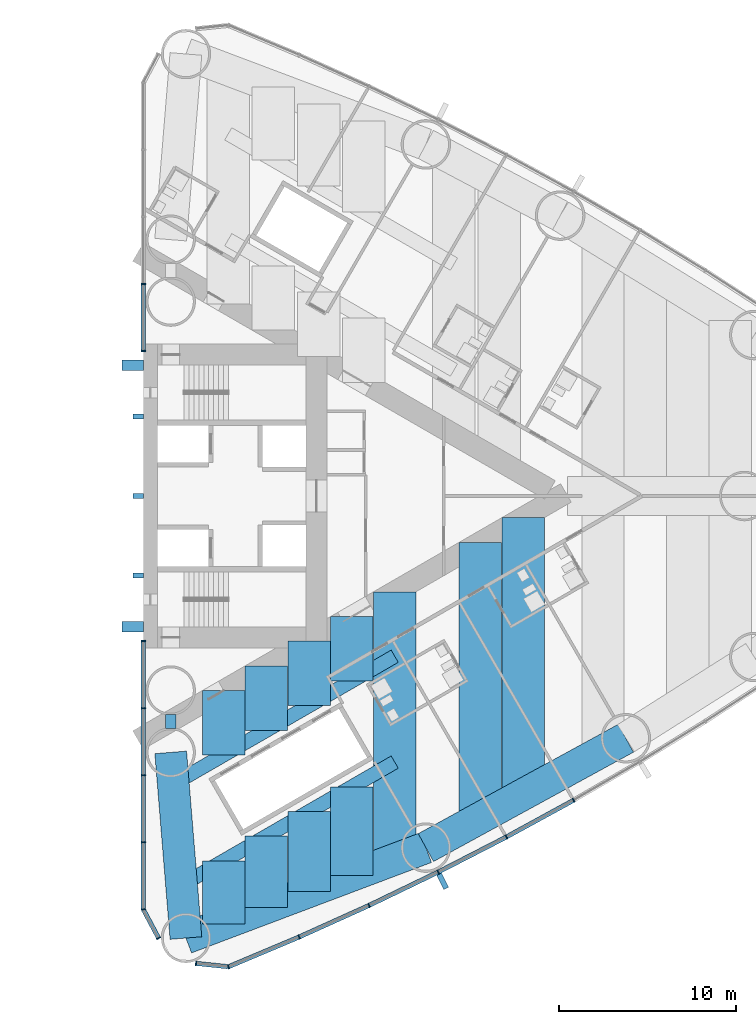
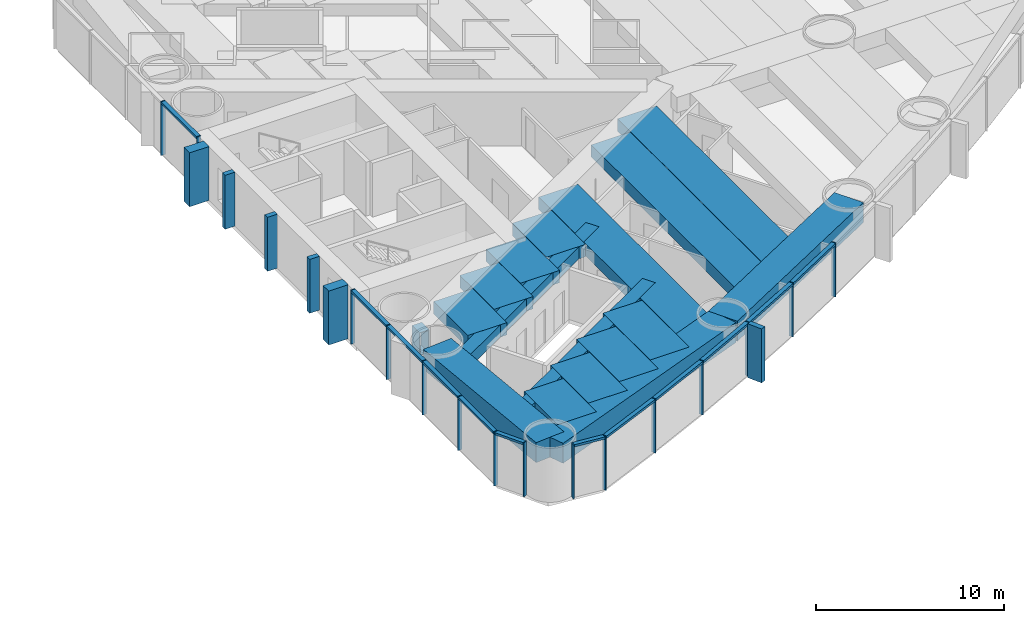
# One storey, part 6 of 19: 33 members, 17 beams, 3 elements without a shape of their own.
"""IFC4 building model written with IfcOpenShell, lengths in metres."""

from ifc_helpers import new_model, si_unit, direction, frame, origin, origin_2d, place, context, subcontext, project, spatial, rectangle, hollow_rectangle, extrude, material, material_profile, profile_set, type_object, element, aggregate, save


model = new_model("IFC4")

# Units and contexts
model_context = context("Model", 3, precision=1e-05, world=origin(), true_north=direction((0.0, 1.0)))
body_context = subcontext(model_context, "Body", "Model", "MODEL_VIEW")
ifc_project = project(units=[si_unit("LENGTHUNIT", "METRE"), si_unit("AREAUNIT", "SQUARE_METRE"), si_unit("VOLUMEUNIT", "CUBIC_METRE"), si_unit("PLANEANGLEUNIT", "RADIAN"), si_unit("MASSUNIT", "GRAM", prefix="KILO")], contexts=[model_context])

# Site, building, storey
site_placement = place(None, origin())
site = spatial("IfcSite", under=ifc_project, at=site_placement, CompositionType="ELEMENT")
building_placement = place(site_placement, origin())
building = spatial("IfcBuilding", under=site, at=building_placement, Name="Lancet Gate Hotel", CompositionType="ELEMENT")
storey_placement = place(building_placement, frame((0.0, 0.0, 32.0)))
storey = spatial("IfcBuildingStorey", under=building, at=storey_placement, Name="L07", CompositionType="ELEMENT", Elevation=32.0)

# Curtain wall, members
ifc_material_1 = material(Name="Aluminium curtain wall", Category="aluminium")
curtain_wall_type = type_object("IfcCurtainWallType", Name="Tower unitised curtain wall", PredefinedType="USERDEFINED", material=ifc_material_1)
curtain_wall_1_placement = place(storey_placement, origin())
curtain_wall_1 = element("IfcCurtainWall", 1, at=curtain_wall_1_placement, inside=storey, type_object=curtain_wall_type, Name="T2 L07 curtain wall 1", ObjectType="UNITISED CURTAIN WALL", PredefinedType="USERDEFINED")
ifc_material_2 = material(Name="Aluminium mullion", Category="aluminium")
ifc_material_profile_1 = material_profile(ifc_material_2, rectangle(XDim=0.06494140625, YDim=0.25, at=origin_2d()), Name="MULLION 65x250")
ifc_profile_set_1 = profile_set([ifc_material_profile_1], Name="Aluminium mullion")
member_type_1 = type_object("IfcMemberType", Name="Aluminium mullion 65x250", PredefinedType="MULLION", material=ifc_profile_set_1)
member_1_placement = place(storey_placement, frame((27.5, -8.199951171875, 0.0), z_axis=(0.0, 0.0, 1.0), x_axis=(0.0, -1.0, 0.0)))
member_1 = element("IfcMember", 2, at=member_1_placement, type_object=member_type_1, Name="T2 L07 curtain wall 1 mullion 1", PredefinedType="MULLION", context=body_context, shape_type="SweptSolid", body=[
    extrude(rectangle(XDim=0.06494140625, YDim=0.25, at=origin_2d()), origin(), (0.0, 0.0, 1.0), 3.5),
])
member_2_placement = place(storey_placement, frame((27.5, -11.99609375, 0.0), z_axis=(0.0, 0.0, 1.0), x_axis=(0.0, -1.0, 0.0)))
member_2 = element("IfcMember", 3, at=member_2_placement, type_object=member_type_1, Name="T2 L07 curtain wall 1 mullion 2", PredefinedType="MULLION", context=body_context, shape_type="SweptSolid", body=[
    extrude(rectangle(XDim=0.06494140625, YDim=0.25, at=origin_2d()), origin(), (0.0, 0.0, 1.0), 3.5),
])
member_3_placement = place(storey_placement, frame((27.5, -15.79248046875, 0.0), z_axis=(0.0, 0.0, 1.0), x_axis=(0.0, -1.0, 0.0)))
member_3 = element("IfcMember", 4, at=member_3_placement, type_object=member_type_1, Name="T2 L07 curtain wall 1 mullion 3", PredefinedType="MULLION", context=body_context, shape_type="SweptSolid", body=[
    extrude(rectangle(XDim=0.06494140625, YDim=0.25, at=origin_2d()), origin(), (0.0, 0.0, 1.0), 3.5),
])
member_4_placement = place(storey_placement, frame((27.5, -19.588623046875, 0.0), z_axis=(0.0, 0.0, 1.0), x_axis=(0.0, -1.0, 0.0)))
member_4 = element("IfcMember", 5, at=member_4_placement, type_object=member_type_1, Name="T2 L07 curtain wall 1 mullion 4", PredefinedType="MULLION", context=body_context, shape_type="SweptSolid", body=[
    extrude(rectangle(XDim=0.06494140625, YDim=0.25, at=origin_2d()), origin(), (0.0, 0.0, 1.0), 3.5),
])
member_5_placement = place(storey_placement, frame((27.5, -23.384765625, 0.0), z_axis=(0.0, 0.0, 1.0), x_axis=(0.157751691459, -0.987478811844, 0.0)))
member_5 = element("IfcMember", 6, at=member_5_placement, type_object=member_type_1, Name="T2 L07 curtain wall 1 mullion 5", PredefinedType="MULLION", context=body_context, shape_type="SweptSolid", body=[
    extrude(rectangle(XDim=0.06494140625, YDim=0.25, at=origin_2d()), origin(), (0.0, 0.0, 1.0), 3.5),
])
member_6_placement = place(storey_placement, frame((28.366455078125, -25.012451171875, 0.0), z_axis=(0.0, 0.0, 1.0), x_axis=(0.469897827284, -0.882720811987, 0.0)))
member_6 = element("IfcMember", 7, at=member_6_placement, type_object=member_type_1, Name="T2 L07 curtain wall 1 mullion 6", PredefinedType="MULLION", context=body_context, shape_type="SweptSolid", body=[
    extrude(rectangle(XDim=0.06494140625, YDim=0.25, at=origin_2d()), origin(), (0.0, 0.0, 1.0), 3.5),
])

curtain_wall_2_placement = place(storey_placement, origin())
curtain_wall_2 = element("IfcCurtainWall", 8, at=curtain_wall_2_placement, inside=storey, type_object=curtain_wall_type, Name="T2 L07 curtain wall 2", ObjectType="UNITISED CURTAIN WALL", PredefinedType="USERDEFINED")
member_7_placement = place(storey_placement, frame((30.48388671875, -26.4375, 0.0), z_axis=(0.0, 0.0, 1.0), x_axis=(0.994672262412, -0.10308778001, 0.0)))
member_7 = element("IfcMember", 9, at=member_7_placement, type_object=member_type_1, Name="T2 L07 curtain wall 2 mullion 1", PredefinedType="MULLION", context=body_context, shape_type="SweptSolid", body=[
    extrude(rectangle(XDim=0.06494140625, YDim=0.25, at=origin_2d()), origin(), (0.0, 0.0, 1.0), 3.5),
])
member_8_placement = place(storey_placement, frame((32.3173828125, -26.62744140625, 0.0), z_axis=(0.0, 0.0, 1.0), x_axis=(0.968721492963, 0.248150496819, 0.0)))
member_8 = element("IfcMember", 10, at=member_8_placement, type_object=member_type_1, Name="T2 L07 curtain wall 2 mullion 2", PredefinedType="MULLION", context=body_context, shape_type="SweptSolid", body=[
    extrude(rectangle(XDim=0.06494140625, YDim=0.25, at=origin_2d()), origin(), (0.0, 0.0, 1.0), 3.5),
])
member_9_placement = place(storey_placement, frame((36.31494140625, -24.943603515625, 0.0), z_axis=(0.0, 0.0, 1.0), x_axis=(0.916578705089, 0.399854320193, 0.0)))
member_9 = element("IfcMember", 11, at=member_9_placement, type_object=member_type_1, Name="T2 L07 curtain wall 2 mullion 3", PredefinedType="MULLION", context=body_context, shape_type="SweptSolid", body=[
    extrude(rectangle(XDim=0.06494140625, YDim=0.25, at=origin_2d()), origin(), (0.0, 0.0, 1.0), 3.5),
])
member_10_placement = place(storey_placement, frame((40.2685546875, -23.15869140625, 0.0), z_axis=(0.0, 0.0, 1.0), x_axis=(0.906104948671, 0.423052977762, 0.0)))
member_10 = element("IfcMember", 12, at=member_10_placement, type_object=member_type_1, Name="T2 L07 curtain wall 2 mullion 4", PredefinedType="MULLION", context=body_context, shape_type="SweptSolid", body=[
    extrude(rectangle(XDim=0.06494140625, YDim=0.25, at=origin_2d()), origin(), (0.0, 0.0, 1.0), 3.5),
])
member_11_placement = place(storey_placement, frame((44.17529296875, -21.273681640625, 0.0), z_axis=(0.0, 0.0, 1.0), x_axis=(0.895044147438, 0.445977548917, 0.0)))
member_11 = element("IfcMember", 13, at=member_11_placement, type_object=member_type_1, Name="T2 L07 curtain wall 2 mullion 5", PredefinedType="MULLION", context=body_context, shape_type="SweptSolid", body=[
    extrude(rectangle(XDim=0.06494140625, YDim=0.25, at=origin_2d()), origin(), (0.0, 0.0, 1.0), 3.5),
])
member_12_placement = place(storey_placement, frame((48.03271484375, -19.2900390625, 0.0), z_axis=(0.0, 0.0, 1.0), x_axis=(0.88340346743, 0.468613181347, 0.0)))
member_12 = element("IfcMember", 14, at=member_12_placement, type_object=member_type_1, Name="T2 L07 curtain wall 2 mullion 6", PredefinedType="MULLION", context=body_context, shape_type="SweptSolid", body=[
    extrude(rectangle(XDim=0.06494140625, YDim=0.25, at=origin_2d()), origin(), (0.0, 0.0, 1.0), 3.5),
])
member_13_placement = place(storey_placement, frame((51.838623046875, -17.208740234375, 0.0), z_axis=(0.0, 0.0, 1.0), x_axis=(0.871190450382, 0.490945209941, 0.0)))
member_13 = element("IfcMember", 15, at=member_13_placement, type_object=member_type_1, Name="T2 L07 curtain wall 2 mullion 7", PredefinedType="MULLION", context=body_context, shape_type="SweptSolid", body=[
    extrude(rectangle(XDim=0.06494140625, YDim=0.25, at=origin_2d()), origin(), (0.0, 0.0, 1.0), 3.5),
])

curtain_wall_3_placement = place(storey_placement, origin())
curtain_wall_3 = element("IfcCurtainWall", 16, at=curtain_wall_3_placement, inside=storey, type_object=curtain_wall_type, Name="T2 L07 curtain wall 4", ObjectType="UNITISED CURTAIN WALL", PredefinedType="USERDEFINED")
member_14_placement = place(storey_placement, frame((27.5, 11.99609375, 0.0), z_axis=(0.0, 0.0, 1.0), x_axis=(0.0, -1.0, 0.0)))
member_14 = element("IfcMember", 17, at=member_14_placement, type_object=member_type_1, Name="T2 L07 curtain wall 4 mullion 5", PredefinedType="MULLION", context=body_context, shape_type="SweptSolid", body=[
    extrude(rectangle(XDim=0.06494140625, YDim=0.25, at=origin_2d()), origin(), (0.0, 0.0, 1.0), 3.5),
])
member_15_placement = place(storey_placement, frame((27.5, 8.199951171875, 0.0), z_axis=(0.0, 0.0, 1.0), x_axis=(0.0, -1.0, 0.0)))
member_15 = element("IfcMember", 18, at=member_15_placement, type_object=member_type_1, Name="T2 L07 curtain wall 4 mullion 6", PredefinedType="MULLION", context=body_context, shape_type="SweptSolid", body=[
    extrude(rectangle(XDim=0.06494140625, YDim=0.25, at=origin_2d()), origin(), (0.0, 0.0, 1.0), 3.5),
])

# Member
ifc_material_3 = material(Name="Aluminium transom", Category="aluminium")
ifc_material_profile_2 = material_profile(ifc_material_3, rectangle(XDim=0.25, YDim=0.14990234375, at=origin_2d()), Name="TRANSOM 250x150")
ifc_profile_set_2 = profile_set([ifc_material_profile_2], Name="Aluminium transom")
member_type_2 = type_object("IfcMemberType", Name="Aluminium transom 250x150", PredefinedType="USERDEFINED", material=ifc_profile_set_2)
member_16_placement = place(storey_placement, frame((27.5, -8.232421875, 3.425048828125), z_axis=(0.0, -1.0, 0.0), x_axis=(1.0, 0.0, 0.0)))
member_16 = element("IfcMember", 19, at=member_16_placement, type_object=member_type_2, Name="T2 L07 curtain wall 1 transom 1", ObjectType="TRANSOM", PredefinedType="USERDEFINED", context=body_context, shape_type="SweptSolid", body=[
    extrude(rectangle(XDim=0.25, YDim=0.14990234375, at=origin_2d()), origin(), (0.0, 0.0, 1.0), 3.731201171875),
])

member_17_placement = place(storey_placement, frame((27.5, -12.02880859375, 3.425048828125), z_axis=(0.0, -1.0, 0.0), x_axis=(1.0, 0.0, 0.0)))
member_17 = element("IfcMember", 20, at=member_17_placement, type_object=member_type_2, Name="T2 L07 curtain wall 1 transom 2", ObjectType="TRANSOM", PredefinedType="USERDEFINED", context=body_context, shape_type="SweptSolid", body=[
    extrude(rectangle(XDim=0.25, YDim=0.14990234375, at=origin_2d()), origin(), (0.0, 0.0, 1.0), 3.731201171875),
])

member_18_placement = place(storey_placement, frame((27.5, -15.824951171875, 3.425048828125), z_axis=(0.0, -1.0, 0.0), x_axis=(1.0, 0.0, 0.0)))
member_18 = element("IfcMember", 21, at=member_18_placement, type_object=member_type_2, Name="T2 L07 curtain wall 1 transom 3", ObjectType="TRANSOM", PredefinedType="USERDEFINED", context=body_context, shape_type="SweptSolid", body=[
    extrude(rectangle(XDim=0.25, YDim=0.14990234375, at=origin_2d()), origin(), (0.0, 0.0, 1.0), 3.731201171875),
])

member_19_placement = place(storey_placement, frame((27.5, -19.62109375, 3.425048828125), z_axis=(0.0, -1.0, 0.0), x_axis=(1.0, 0.0, 0.0)))
member_19 = element("IfcMember", 22, at=member_19_placement, type_object=member_type_2, Name="T2 L07 curtain wall 1 transom 4", ObjectType="TRANSOM", PredefinedType="USERDEFINED", context=body_context, shape_type="SweptSolid", body=[
    extrude(rectangle(XDim=0.25, YDim=0.14990234375, at=origin_2d()), origin(), (0.0, 0.0, 1.0), 3.731201171875),
])

member_20_placement = place(storey_placement, frame((27.515380859375, -23.41357421875, 3.425048828125), z_axis=(0.469904276347, -0.882717378933, 0.0), x_axis=(0.882717378933, 0.469904276347, 0.0)))
member_20 = element("IfcMember", 23, at=member_20_placement, type_object=member_type_2, Name="T2 L07 curtain wall 1 transom 5", ObjectType="TRANSOM", PredefinedType="USERDEFINED", context=body_context, shape_type="SweptSolid", body=[
    extrude(rectangle(XDim=0.25, YDim=0.14990234375, at=origin_2d()), origin(), (0.0, 0.0, 1.0), 1.779052734375),
])

aggregate(curtain_wall_1, [member_1, member_2, member_3, member_4, member_5, member_6, member_16, member_17, member_18, member_19, member_20])

member_21_placement = place(storey_placement, frame((30.516357421875, -26.440673828125, 3.425048828125), z_axis=(0.994670452051, -0.103105246306, 0.0), x_axis=(0.103105246306, 0.994670452051, 0.0)))
member_21 = element("IfcMember", 24, at=member_21_placement, type_object=member_type_2, Name="T2 L07 curtain wall 2 transom 1", ObjectType="TRANSOM", PredefinedType="USERDEFINED", context=body_context, shape_type="SweptSolid", body=[
    extrude(rectangle(XDim=0.25, YDim=0.14990234375, at=origin_2d()), origin(), (0.0, 0.0, 1.0), 1.7783203125),
])

member_22_placement = place(storey_placement, frame((32.347412109375, -26.61474609375, 3.425048828125), z_axis=(0.92159772617, 0.388146404233, 0.0), x_axis=(-0.388146404233, 0.92159772617, 0.0)))
member_22 = element("IfcMember", 25, at=member_22_placement, type_object=member_type_2, Name="T2 L07 curtain wall 2 transom 2", ObjectType="TRANSOM", PredefinedType="USERDEFINED", context=body_context, shape_type="SweptSolid", body=[
    extrude(rectangle(XDim=0.25, YDim=0.14990234375, at=origin_2d()), origin(), (0.0, 0.0, 1.0), 4.272705078125),
])

member_23_placement = place(storey_placement, frame((36.3447265625, -24.930419921875, 3.425048828125), z_axis=(0.911396871737, 0.411528543589, 0.0), x_axis=(-0.411528543589, 0.911396871737, 0.0)))
member_23 = element("IfcMember", 26, at=member_23_placement, type_object=member_type_2, Name="T2 L07 curtain wall 2 transom 3", ObjectType="TRANSOM", PredefinedType="USERDEFINED", context=body_context, shape_type="SweptSolid", body=[
    extrude(rectangle(XDim=0.25, YDim=0.14990234375, at=origin_2d()), origin(), (0.0, 0.0, 1.0), 4.272705078125),
])

member_24_placement = place(storey_placement, frame((40.2978515625, -23.14453125, 3.425048828125), z_axis=(0.900646499888, 0.434552508035, 0.0), x_axis=(-0.434552508035, 0.900646499888, 0.0)))
member_24 = element("IfcMember", 27, at=member_24_placement, type_object=member_type_2, Name="T2 L07 curtain wall 2 transom 4", ObjectType="TRANSOM", PredefinedType="USERDEFINED", context=body_context, shape_type="SweptSolid", body=[
    extrude(rectangle(XDim=0.25, YDim=0.14990234375, at=origin_2d()), origin(), (0.0, 0.0, 1.0), 4.272705078125),
])

member_25_placement = place(storey_placement, frame((44.2041015625, -21.259033203125, 3.425048828125), z_axis=(0.88929576978, 0.457332520002, 0.0), x_axis=(-0.457332520002, 0.88929576978, 0.0)))
member_25 = element("IfcMember", 28, at=member_25_placement, type_object=member_type_2, Name="T2 L07 curtain wall 2 transom 5", ObjectType="TRANSOM", PredefinedType="USERDEFINED", context=body_context, shape_type="SweptSolid", body=[
    extrude(rectangle(XDim=0.25, YDim=0.14990234375, at=origin_2d()), origin(), (0.0, 0.0, 1.0), 4.272705078125),
])

member_26_placement = place(storey_placement, frame((48.061279296875, -19.2744140625, 3.425048828125), z_axis=(0.877377528879, 0.479800658417, 0.0), x_axis=(-0.479800658417, 0.877377528879, 0.0)))
member_26 = element("IfcMember", 29, at=member_26_placement, type_object=member_type_2, Name="T2 L07 curtain wall 2 transom 6", ObjectType="TRANSOM", PredefinedType="USERDEFINED", context=body_context, shape_type="SweptSolid", body=[
    extrude(rectangle(XDim=0.25, YDim=0.14990234375, at=origin_2d()), origin(), (0.0, 0.0, 1.0), 4.272705078125),
])

member_27_placement = place(storey_placement, frame((27.5, 11.963623046875, 3.425048828125), z_axis=(0.0, -1.0, 0.0), x_axis=(1.0, 0.0, 0.0)))
member_27 = element("IfcMember", 30, at=member_27_placement, type_object=member_type_2, Name="T2 L07 curtain wall 4 transom 5", ObjectType="TRANSOM", PredefinedType="USERDEFINED", context=body_context, shape_type="SweptSolid", body=[
    extrude(rectangle(XDim=0.25, YDim=0.14990234375, at=origin_2d()), origin(), (0.0, 0.0, 1.0), 3.731201171875),
])

aggregate(curtain_wall_3, [member_14, member_15, member_27])

# Beams
ifc_material_4 = material(Name="Concrete C50/60", Category="concrete")
ifc_material_profile_3 = material_profile(ifc_material_4, rectangle(XDim=1.800048828125, YDim=1.300048828125, at=origin_2d()), Name="RC 1800x1300")
ifc_profile_set_3 = profile_set([ifc_material_profile_3], Name="Concrete C50/60")
beam_type_1 = type_object("IfcBeamType", Name="Edge beam RC 1800x1300", PredefinedType="SPANDREL", material=ifc_profile_set_3)
beam_1_placement = place(storey_placement, frame((29.9111328125, -25.00244140625, 2.60009765625), z_axis=(0.935736448066, 0.352700013836, 0.0), x_axis=(-0.352700013836, 0.935736448066, 0.0)))
element("IfcBeam", 31, at=beam_1_placement, inside=storey, type_object=beam_type_1, Name="T2 edge beam EB1 L07", PredefinedType="SPANDREL", context=body_context, shape_type="SweptSolid", body=[
    extrude(rectangle(XDim=1.800048828125, YDim=1.300048828125, at=origin_2d()), origin(), (0.0, 0.0, 1.0), 14.505126953125),
])
beam_2_placement = place(storey_placement, frame((43.484130859375, -19.886474609375, 2.60009765625), z_axis=(0.87736889738, 0.479816441893, 0.0), x_axis=(-0.479816441893, 0.87736889738, 0.0)))
element("IfcBeam", 32, at=beam_2_placement, inside=storey, type_object=beam_type_1, Name="T2 edge beam EB1 L07", PredefinedType="SPANDREL", context=body_context, shape_type="SweptSolid", body=[
    extrude(rectangle(XDim=1.800048828125, YDim=1.300048828125, at=origin_2d()), origin(), (0.0, 0.0, 1.0), 12.89208984375),
])
beam_3_placement = place(storey_placement, frame((29.9111328125, -25.00244140625, 2.60009765625), z_axis=(-0.081714744052, 0.996655758326, 0.0), x_axis=(-0.996655758326, -0.081714744052, 0.0)))
element("IfcBeam", 33, at=beam_3_placement, inside=storey, type_object=beam_type_1, Name="T2 edge beam EB1 L07", PredefinedType="SPANDREL", context=body_context, shape_type="SweptSolid", body=[
    extrude(rectangle(XDim=1.800048828125, YDim=1.300048828125, at=origin_2d()), origin(), (0.0, 0.0, 1.0), 10.53759765625),
])

# Members
ifc_material_5 = material(Name="Concrete C60/75", Category="concrete")
ifc_material_profile_4 = material_profile(ifc_material_5, rectangle(XDim=0.60009765625, YDim=1.199951171875, at=origin_2d()), Name="FIN 600x1200")
ifc_profile_set_4 = profile_set([ifc_material_profile_4], Name="Concrete C60/75")
member_type_3 = type_object("IfcMemberType", Name="Exposed concrete buttress pilaster 600x1200", PredefinedType="USERDEFINED", material=ifc_profile_set_4)
for number, where, z_axis, x_axis, name in (
    (34, (26.909912109375, -7.39990234375, 0.0), (0.0, 0.0, 1.0), (0.0, 1.0, 0.0), "T2 buttress pilaster S L07"),
    (35, (26.909912109375, 7.39990234375, 0.0), (0.0, 0.0, 1.0), (0.0, 1.0, 0.0), "T2 buttress pilaster N L07"),
):
    element("IfcMember", number, at=place(storey_placement, frame(where, z_axis=z_axis, x_axis=x_axis)), inside=storey, type_object=member_type_3, Name=name, ObjectType="FIN", PredefinedType="USERDEFINED", context=body_context, shape_type="SweptSolid", body=[
        extrude(rectangle(XDim=0.60009765625, YDim=1.199951171875, at=origin_2d()), origin(), (0.0, 0.0, 1.0), 3.5),
    ])

# Member
ifc_material_6 = material(Name="Precast concrete C50/60", Category="concrete")
ifc_material_profile_5 = material_profile(ifc_material_6, rectangle(XDim=0.300048828125, YDim=0.89990234375, at=origin_2d()), Name="FIN 300x900")
ifc_profile_set_5 = profile_set([ifc_material_profile_5], Name="Precast concrete C50/60")
member_type_4 = type_object("IfcMemberType", Name="Exposed concrete fin 300x900", PredefinedType="USERDEFINED", material=ifc_profile_set_5)
member_28_placement = place(storey_placement, frame((44.431640625, -21.788330078125, 0.0), z_axis=(0.0, 0.0, 1.0), x_axis=(0.895044147438, 0.445977548917, 0.0)))
member_28 = element("IfcMember", 36, at=member_28_placement, type_object=member_type_4, Name="T2 L07 curtain wall 2 fin 5", ObjectType="FIN", PredefinedType="USERDEFINED", context=body_context, shape_type="SweptSolid", body=[
    extrude(rectangle(XDim=0.300048828125, YDim=0.89990234375, at=origin_2d()), origin(), (0.0, 0.0, 1.0), 3.5),
])

aggregate(curtain_wall_2, [member_7, member_8, member_9, member_10, member_11, member_28, member_12, member_13, member_21, member_22, member_23, member_24, member_25, member_26])

# Members
ifc_material_7 = material(Name="Concrete C60/75", Category="concrete")
ifc_material_profile_6 = material_profile(ifc_material_7, rectangle(XDim=0.300048828125, YDim=0.60009765625, at=origin_2d()), Name="FIN 300x600")
ifc_profile_set_6 = profile_set([ifc_material_profile_6], Name="Concrete C60/75")
member_type_5 = type_object("IfcMemberType", Name="Exposed concrete rib 300x600", PredefinedType="USERDEFINED", material=ifc_profile_set_6)
for number, where, z_axis, x_axis, name in (
    (37, (27.2099609375, -4.5, 0.0), (0.0, 0.0, 1.0), (0.0, 1.0, 0.0), "T2 core rib 1 L07"),
    (38, (27.2099609375, 0.0, 0.0), (0.0, 0.0, 1.0), (0.0, 1.0, 0.0), "T2 core rib 2 L07"),
    (39, (27.2099609375, 4.5, 0.0), (0.0, 0.0, 1.0), (0.0, 1.0, 0.0), "T2 core rib 3 L07"),
):
    element("IfcMember", number, at=place(storey_placement, frame(where, z_axis=z_axis, x_axis=x_axis)), inside=storey, type_object=member_type_5, Name=name, ObjectType="FIN", PredefinedType="USERDEFINED", context=body_context, shape_type="SweptSolid", body=[
        extrude(rectangle(XDim=0.300048828125, YDim=0.60009765625, at=origin_2d()), origin(), (0.0, 0.0, 1.0), 3.5),
    ])

# Beams
ifc_material_8 = material(Name="Concrete C50/60", Category="concrete")
ifc_material_profile_7 = material_profile(ifc_material_8, rectangle(XDim=2.39990234375, YDim=0.800048828125, at=origin_2d()), Name="RC 2400x800")
ifc_profile_set_7 = profile_set([ifc_material_profile_7], Name="Concrete C50/60")
beam_type_2 = type_object("IfcBeamType", Name="Floor beam RC 2400x800", PredefinedType="BEAM", material=ifc_profile_set_7)
beam_4_placement = place(storey_placement, frame((41.721435546875, -20.55078125, 2.85009765625), z_axis=(0.0, 1.0, 0.0), x_axis=(-1.0, 0.0, 0.0)))
element("IfcBeam", 40, at=beam_4_placement, inside=storey, type_object=beam_type_2, Name="T2 floor beam F11S L07", PredefinedType="BEAM", context=body_context, shape_type="SweptSolid", body=[
    extrude(rectangle(XDim=2.39990234375, YDim=0.800048828125, at=origin_2d()), origin(), (0.0, 0.0, 1.0), 15.134765625),
])
beam_5_placement = place(storey_placement, frame((46.561767578125, -18.203369140625, 2.85009765625), z_axis=(0.0, 1.0, 0.0), x_axis=(-1.0, 0.0, 0.0)))
element("IfcBeam", 41, at=beam_5_placement, inside=storey, type_object=beam_type_2, Name="T2 floor beam F13S L07", PredefinedType="BEAM", context=body_context, shape_type="SweptSolid", body=[
    extrude(rectangle(XDim=2.39990234375, YDim=0.800048828125, at=origin_2d()), origin(), (0.0, 0.0, 1.0), 15.58203125),
])
beam_6_placement = place(storey_placement, frame((48.98193359375, -16.879638671875, 2.85009765625), z_axis=(0.0, 1.0, 0.0), x_axis=(-1.0, 0.0, 0.0)))
element("IfcBeam", 42, at=beam_6_placement, inside=storey, type_object=beam_type_2, Name="T2 floor beam F15S L07", PredefinedType="BEAM", context=body_context, shape_type="SweptSolid", body=[
    extrude(rectangle(XDim=2.39990234375, YDim=0.800048828125, at=origin_2d()), origin(), (0.0, 0.0, 1.0), 15.655517578125),
])
beam_7_placement = place(storey_placement, frame((32.04052734375, -24.199951171875, 2.85009765625), z_axis=(0.0, 1.0, 0.0), x_axis=(-1.0, 0.0, 0.0)))
element("IfcBeam", 43, at=beam_7_placement, inside=storey, type_object=beam_type_2, Name="T2 floor beam F03SA L07", PredefinedType="BEAM", context=body_context, shape_type="SweptSolid", body=[
    extrude(rectangle(XDim=2.39990234375, YDim=0.800048828125, at=origin_2d()), origin(), (0.0, 0.0, 1.0), 3.5615234375),
])
beam_8_placement = place(storey_placement, frame((32.04052734375, -14.65087890625, 2.85009765625), z_axis=(0.0, 1.0, 0.0), x_axis=(-1.0, 0.0, 0.0)))
element("IfcBeam", 44, at=beam_8_placement, inside=storey, type_object=beam_type_2, Name="T2 floor beam F03SB L07", PredefinedType="BEAM", context=body_context, shape_type="SweptSolid", body=[
    extrude(rectangle(XDim=2.39990234375, YDim=0.800048828125, at=origin_2d()), origin(), (0.0, 0.0, 1.0), 3.6455078125),
])
beam_9_placement = place(storey_placement, frame((34.460693359375, -23.28759765625, 2.85009765625), z_axis=(0.0, 1.0, 0.0), x_axis=(-1.0, 0.0, 0.0)))
element("IfcBeam", 45, at=beam_9_placement, inside=storey, type_object=beam_type_2, Name="T2 floor beam F05SA L07", PredefinedType="BEAM", context=body_context, shape_type="SweptSolid", body=[
    extrude(rectangle(XDim=2.39990234375, YDim=0.800048828125, at=origin_2d()), origin(), (0.0, 0.0, 1.0), 4.04638671875),
])
beam_10_placement = place(storey_placement, frame((34.460693359375, -13.253662109375, 2.85009765625), z_axis=(0.0, 1.0, 0.0), x_axis=(-1.0, 0.0, 0.0)))
element("IfcBeam", 46, at=beam_10_placement, inside=storey, type_object=beam_type_2, Name="T2 floor beam F05SB L07", PredefinedType="BEAM", context=body_context, shape_type="SweptSolid", body=[
    extrude(rectangle(XDim=2.39990234375, YDim=0.800048828125, at=origin_2d()), origin(), (0.0, 0.0, 1.0), 3.645751953125),
])
beam_11_placement = place(storey_placement, frame((36.880859375, -22.37548828125, 2.85009765625), z_axis=(0.0, 1.0, 0.0), x_axis=(-1.0, 0.0, 0.0)))
element("IfcBeam", 47, at=beam_11_placement, inside=storey, type_object=beam_type_2, Name="T2 floor beam F07SA L07", PredefinedType="BEAM", context=body_context, shape_type="SweptSolid", body=[
    extrude(rectangle(XDim=2.39990234375, YDim=0.800048828125, at=origin_2d()), origin(), (0.0, 0.0, 1.0), 4.53173828125),
])
beam_12_placement = place(storey_placement, frame((36.880859375, -11.8564453125, 2.85009765625), z_axis=(0.0, 1.0, 0.0), x_axis=(-1.0, 0.0, 0.0)))
element("IfcBeam", 48, at=beam_12_placement, inside=storey, type_object=beam_type_2, Name="T2 floor beam F07SB L07", PredefinedType="BEAM", context=body_context, shape_type="SweptSolid", body=[
    extrude(rectangle(XDim=2.39990234375, YDim=0.800048828125, at=origin_2d()), origin(), (0.0, 0.0, 1.0), 3.645751953125),
])
beam_13_placement = place(storey_placement, frame((39.301025390625, -21.463134765625, 2.85009765625), z_axis=(0.0, 1.0, 0.0), x_axis=(-1.0, 0.0, 0.0)))
element("IfcBeam", 49, at=beam_13_placement, inside=storey, type_object=beam_type_2, Name="T2 floor beam F09SA L07", PredefinedType="BEAM", context=body_context, shape_type="SweptSolid", body=[
    extrude(rectangle(XDim=2.39990234375, YDim=0.800048828125, at=origin_2d()), origin(), (0.0, 0.0, 1.0), 5.0166015625),
])
beam_14_placement = place(storey_placement, frame((39.301025390625, -10.458984375, 2.85009765625), z_axis=(0.0, 1.0, 0.0), x_axis=(-1.0, 0.0, 0.0)))
element("IfcBeam", 50, at=beam_14_placement, inside=storey, type_object=beam_type_2, Name="T2 floor beam F09SB L07", PredefinedType="BEAM", context=body_context, shape_type="SweptSolid", body=[
    extrude(rectangle(XDim=2.39990234375, YDim=0.800048828125, at=origin_2d()), origin(), (0.0, 0.0, 1.0), 3.6455078125),
])
ifc_material_9 = material(Name="Steel S460QL", Category="steel")
ifc_material_profile_8 = material_profile(ifc_material_9, hollow_rectangle(XDim=0.60009765625, YDim=1.5, WallThickness=0.050048828125, at=origin_2d()), Name="BOX 1500x600x50")
ifc_profile_set_8 = profile_set([ifc_material_profile_8], Name="Steel S460QL")
beam_type_3 = type_object("IfcBeamType", Name="Inner-face link beam BOX 1500x600x50", PredefinedType="BEAM", material=ifc_profile_set_8)
beam_15_placement = place(storey_placement, frame((29.050048828125, -13.14990234375, 2.5), z_axis=(0.0, 1.0, 0.0), x_axis=(-1.0, 0.0, 0.0)))
element("IfcBeam", 51, at=beam_15_placement, inside=storey, type_object=beam_type_3, Name="T2 inner-face link beam LK1 L07", PredefinedType="BEAM", context=body_context, shape_type="SweptSolid", body=[
    extrude(hollow_rectangle(XDim=0.60009765625, YDim=1.5, WallThickness=0.050048828125, at=origin_2d()), origin(), (0.0, 0.0, 1.0), 0.7998046875),
])
ifc_material_10 = material(Name="Steel S460QL", Category="steel")
ifc_material_profile_9 = material_profile(ifc_material_10, hollow_rectangle(XDim=0.800048828125, YDim=0.800048828125, WallThickness=0.080078125, at=origin_2d()), Name="BOX 800x800x80")
ifc_profile_set_9 = profile_set([ifc_material_profile_9], Name="Steel S460QL")
beam_type_4 = type_object("IfcBeamType", Name="Trimmer beam BOX 800x800x80", PredefinedType="BEAM", material=ifc_profile_set_9)
beam_16_placement = place(storey_placement, frame((29.6201171875, -16.048095703125, 2.85009765625), z_axis=(0.866036909293, 0.499980071345, 0.0), x_axis=(-0.499980071345, 0.866036909293, 0.0)))
element("IfcBeam", 52, at=beam_16_placement, inside=storey, type_object=beam_type_4, Name="T2 trimmer beam TR01S L07", PredefinedType="BEAM", context=body_context, shape_type="SweptSolid", body=[
    extrude(hollow_rectangle(XDim=0.800048828125, YDim=0.800048828125, WallThickness=0.080078125, at=origin_2d()), origin(), (0.0, 0.0, 1.0), 13.97314453125),
])
beam_17_placement = place(storey_placement, frame((29.665771484375, -22.00927734375, 2.85009765625), z_axis=(0.866037222451, 0.499979528911, 0.0), x_axis=(-0.499979528911, 0.866037222451, 0.0)))
element("IfcBeam", 53, at=beam_17_placement, inside=storey, type_object=beam_type_4, Name="T2 trimmer beam TR02S L07", PredefinedType="BEAM", context=body_context, shape_type="SweptSolid", body=[
    extrude(hollow_rectangle(XDim=0.800048828125, YDim=0.800048828125, WallThickness=0.080078125, at=origin_2d()), origin(), (0.0, 0.0, 1.0), 13.92041015625),
])

save(model, "model.ifc")
